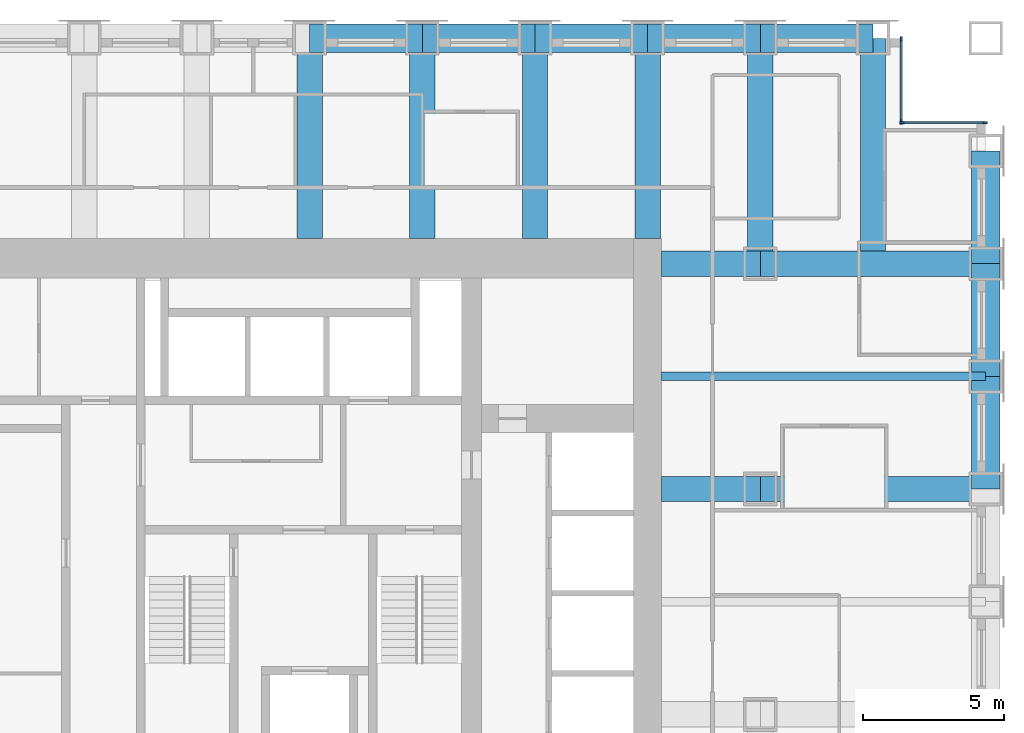
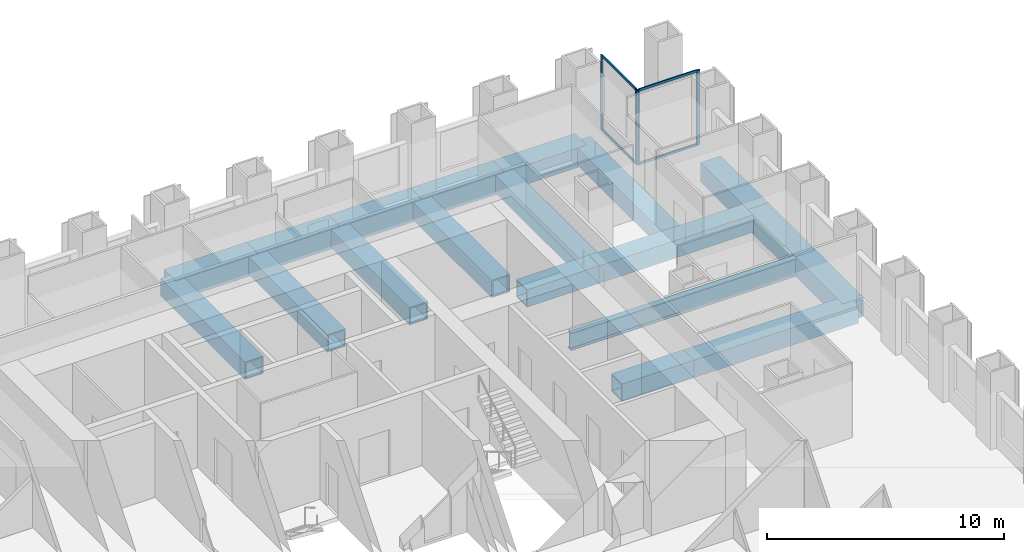
# One storey, part 7 of 15: 19 beams, 8 members, 2 elements without a shape of their own.
"""IFC4 building model written with IfcOpenShell, lengths in metres."""

from ifc_helpers import new_model, si_unit, direction, frame, origin, origin_2d, place, context, subcontext, project, spatial, rectangle, hollow_rectangle, i_section, extrude, material, material_profile, profile_set, type_object, element, aggregate, save


model = new_model("IFC4")

# Units and contexts
model_context = context("Model", 3, precision=1e-05, world=origin(), true_north=direction((0.0, 1.0)))
body_context = subcontext(model_context, "Body", "Model", "MODEL_VIEW")
ifc_project = project(units=[si_unit("LENGTHUNIT", "METRE"), si_unit("AREAUNIT", "SQUARE_METRE"), si_unit("VOLUMEUNIT", "CUBIC_METRE"), si_unit("PLANEANGLEUNIT", "RADIAN"), si_unit("MASSUNIT", "GRAM", prefix="KILO")], contexts=[model_context])

# Site, building, storey
site_placement = place(None, origin())
site = spatial("IfcSite", under=ifc_project, at=site_placement, CompositionType="ELEMENT")
building_placement = place(site_placement, origin())
building = spatial("IfcBuilding", under=site, at=building_placement, Name="Rimbunsela Tower", CompositionType="ELEMENT")
storey_placement = place(building_placement, frame((0.0, 0.0, 19.0)))
storey = spatial("IfcBuildingStorey", under=building, at=storey_placement, Name="L04", CompositionType="ELEMENT", Elevation=19.0)

# Beams
ifc_material_1 = material(Name="Steel BJ 55 (fy 410 MPa)", Category="steel")
ifc_material_profile_1 = material_profile(ifc_material_1, hollow_rectangle(XDim=1.0, YDim=1.0, WallThickness=0.10009765625, at=origin_2d()), Name="BOX 1000x1000x100")
ifc_profile_set_1 = profile_set([ifc_material_profile_1], Name="Steel BJ 55 (fy 410 MPa)")
beam_type_1 = type_object("IfcBeamType", Name="Beam BOX 1000x1000x100", PredefinedType="BEAM", material=ifc_profile_set_1)
for number, where, z_axis, x_axis, name in (
    (1, (30.0, 44.0, -0.64990234375), (1.0, 0.0, 0.0), (0.0, 1.0, 0.0), "Beam B3 L04"),
    (2, (34.0, 44.0, -0.64990234375), (1.0, 0.0, 0.0), (0.0, 1.0, 0.0), "Beam B3 L04"),
    (3, (38.0, 44.0, -0.64990234375), (1.0, 0.0, 0.0), (0.0, 1.0, 0.0), "Beam B3 L04"),
    (4, (42.0, 44.0, -0.64990234375), (1.0, 0.0, 0.0), (0.0, 1.0, 0.0), "Beam B3 L04"),
    (5, (46.0, 44.0, -0.64990234375), (1.0, 0.0, 0.0), (0.0, 1.0, 0.0), "Beam B3 L04"),
    (6, (54.0, 28.0, -0.64990234375), (0.0, 1.0, 0.0), (-1.0, 0.0, 0.0), "Beam B3 L04"),
    (7, (54.0, 32.0, -0.64990234375), (0.0, 1.0, 0.0), (-1.0, 0.0, 0.0), "Beam B3 L04"),
    (8, (54.0, 36.0, -0.64990234375), (0.0, 1.0, 0.0), (-1.0, 0.0, 0.0), "Beam B3 L04"),
):
    element("IfcBeam", number, at=place(storey_placement, frame(where, z_axis=z_axis, x_axis=x_axis)), inside=storey, type_object=beam_type_1, Name=name, PredefinedType="BEAM", context=body_context, shape_type="SweptSolid", body=[
        extrude(hollow_rectangle(XDim=1.0, YDim=1.0, WallThickness=0.10009765625, at=origin_2d()), origin(), (0.0, 0.0, 1.0), 4.0),
    ])
ifc_material_2 = material(Name="Steel BJ 55 (fy 410 MPa)", Category="steel")
ifc_material_profile_2 = material_profile(ifc_material_2, hollow_rectangle(XDim=0.89990234375, YDim=0.89990234375, WallThickness=0.06005859375, at=origin_2d()), Name="BOX 900x900x60")
ifc_profile_set_2 = profile_set([ifc_material_profile_2], Name="Steel BJ 55 (fy 410 MPa)")
beam_type_2 = type_object("IfcBeamType", Name="Beam BOX 900x900x60", PredefinedType="BEAM", material=ifc_profile_set_2)
for number, where, z_axis, x_axis, name in (
    (9, (30.0, 36.89990234375, -0.60009765625), (0.0, 1.0, 0.0), (-1.0, 0.0, 0.0), "Beam B1 L04"),
    (10, (34.0, 36.89990234375, -0.60009765625), (0.0, 1.0, 0.0), (-1.0, 0.0, 0.0), "Beam B1 L04"),
    (11, (38.0, 36.89990234375, -0.60009765625), (0.0, 1.0, 0.0), (-1.0, 0.0, 0.0), "Beam B1 L04"),
    (12, (42.0, 36.89990234375, -0.60009765625), (0.0, 1.0, 0.0), (-1.0, 0.0, 0.0), "Beam B1 L04"),
):
    element("IfcBeam", number, at=place(storey_placement, frame(where, z_axis=z_axis, x_axis=x_axis)), inside=storey, type_object=beam_type_2, Name=name, PredefinedType="BEAM", context=body_context, shape_type="SweptSolid", body=[
        extrude(hollow_rectangle(XDim=0.89990234375, YDim=0.89990234375, WallThickness=0.06005859375, at=origin_2d()), origin(), (0.0, 0.0, 1.0), 7.10009765625),
    ])
for number, where, z_axis, x_axis, name in (
    (13, (42.5, 28.0, -0.60009765625), (1.0, 0.0, 0.0), (0.0, 1.0, 0.0), "Beam B1 L04"),
    (14, (42.5, 36.0, -0.60009765625), (1.0, 0.0, 0.0), (0.0, 1.0, 0.0), "Beam B1 L04"),
):
    element("IfcBeam", number, at=place(storey_placement, frame(where, z_axis=z_axis, x_axis=x_axis)), inside=storey, type_object=beam_type_2, Name=name, PredefinedType="BEAM", context=body_context, shape_type="SweptSolid", body=[
        extrude(hollow_rectangle(XDim=0.89990234375, YDim=0.89990234375, WallThickness=0.06005859375, at=origin_2d()), origin(), (0.0, 0.0, 1.0), 3.5),
    ])
for number, where, z_axis, x_axis, name in (
    (15, (46.0, 28.0, -0.60009765625), (1.0, 0.0, 0.0), (0.0, 1.0, 0.0), "Beam B1 L04"),
    (16, (46.0, 36.0, -0.60009765625), (0.0, 1.0, 0.0), (-1.0, 0.0, 0.0), "Beam B1 L04"),
    (17, (46.0, 36.0, -0.60009765625), (1.0, 0.0, 0.0), (0.0, 1.0, 0.0), "Beam B1 L04"),
):
    element("IfcBeam", number, at=place(storey_placement, frame(where, z_axis=z_axis, x_axis=x_axis)), inside=storey, type_object=beam_type_2, Name=name, PredefinedType="BEAM", context=body_context, shape_type="SweptSolid", body=[
        extrude(hollow_rectangle(XDim=0.89990234375, YDim=0.89990234375, WallThickness=0.06005859375, at=origin_2d()), origin(), (0.0, 0.0, 1.0), 8.0),
    ])
beam_1_placement = place(storey_placement, frame((50.0, 36.449951171875, -0.60009765625), z_axis=(0.0, 1.0, 0.0), x_axis=(-1.0, 0.0, 0.0)))
element("IfcBeam", 18, at=beam_1_placement, inside=storey, type_object=beam_type_2, Name="Beam B1 L04", PredefinedType="BEAM", context=body_context, shape_type="SweptSolid", body=[
    extrude(hollow_rectangle(XDim=0.89990234375, YDim=0.89990234375, WallThickness=0.06005859375, at=origin_2d()), origin(), (0.0, 0.0, 1.0), 7.550048828125),
])
ifc_material_3 = material(Name="Steel BJ 55 (fy 410 MPa)", Category="steel")
ifc_material_profile_3 = material_profile(ifc_material_3, i_section(OverallWidth=0.300048828125, OverallDepth=0.89990234375, WebThickness=0.01611328125, FlangeThickness=0.028076171875, FilletRadius=0.028076171875, at=origin_2d()), Name="H 900x300x16x28")
ifc_profile_set_3 = profile_set([ifc_material_profile_3], Name="Steel BJ 55 (fy 410 MPa)")
beam_type_3 = type_object("IfcBeamType", Name="Beam H 900x300x16x28", PredefinedType="BEAM", material=ifc_profile_set_3)
beam_2_placement = place(storey_placement, frame((42.5, 32.0, -0.60009765625), z_axis=(1.0, 0.0, 0.0), x_axis=(0.0, 1.0, 0.0)))
element("IfcBeam", 19, at=beam_2_placement, inside=storey, type_object=beam_type_3, Name="Beam B2 L04", PredefinedType="BEAM", context=body_context, shape_type="SweptSolid", body=[
    extrude(i_section(OverallWidth=0.300048828125, OverallDepth=0.89990234375, WebThickness=0.01611328125, FlangeThickness=0.028076171875, FilletRadius=0.028076171875, at=origin_2d()), origin(), (0.0, 0.0, 1.0), 11.5),
])

# Curtain wall, members
ifc_material_4 = material(Name="Aluminium curtain wall", Category="aluminium")
curtain_wall_type = type_object("IfcCurtainWallType", Name="Corner glazing", PredefinedType="USERDEFINED", material=ifc_material_4)
curtain_wall_1_placement = place(storey_placement, origin())
curtain_wall_1 = element("IfcCurtainWall", 20, at=curtain_wall_1_placement, inside=storey, type_object=curtain_wall_type, Name="Corner glazing L04", ObjectType="CORNER GLAZING", PredefinedType="USERDEFINED")
ifc_material_5 = material(Name="Aluminium mullion", Category="aluminium")
ifc_material_profile_4 = material_profile(ifc_material_5, rectangle(XDim=0.06005859375, YDim=0.159912109375, at=origin_2d()), Name="Mullion 60x160")
ifc_profile_set_4 = profile_set([ifc_material_profile_4], Name="Aluminium mullion")
member_type_1 = type_object("IfcMemberType", Name="Curtain wall mullion 60x160", PredefinedType="MULLION", material=ifc_profile_set_4)
member_1_placement = place(storey_placement, frame((53.969970703125, 41.0, 0.0), z_axis=(0.0, 0.0, 1.0), x_axis=(0.0, -1.0, 0.0)))
member_1 = element("IfcMember", 21, at=member_1_placement, type_object=member_type_1, Name="CW5 mullion 1", PredefinedType="MULLION", context=body_context, shape_type="SweptSolid", body=[
    extrude(rectangle(XDim=0.06005859375, YDim=0.159912109375, at=origin_2d()), origin(), (0.0, 0.0, 1.0), 3.85009765625),
])
member_2_placement = place(storey_placement, frame((51.030029296875, 41.0, 0.0), z_axis=(0.0, 0.0, 1.0), x_axis=(0.0, -1.0, 0.0)))
member_2 = element("IfcMember", 22, at=member_2_placement, type_object=member_type_1, Name="CW5 mullion 2", PredefinedType="MULLION", context=body_context, shape_type="SweptSolid", body=[
    extrude(rectangle(XDim=0.06005859375, YDim=0.159912109375, at=origin_2d()), origin(), (0.0, 0.0, 1.0), 3.85009765625),
])

curtain_wall_2_placement = place(storey_placement, origin())
curtain_wall_2 = element("IfcCurtainWall", 23, at=curtain_wall_2_placement, inside=storey, type_object=curtain_wall_type, Name="Corner glazing L04", ObjectType="CORNER GLAZING", PredefinedType="USERDEFINED")
member_3_placement = place(storey_placement, frame((51.0, 41.030029296875, 0.0), z_axis=(0.0, 0.0, 1.0), x_axis=(-1.0, 0.0, 0.0)))
member_3 = element("IfcMember", 24, at=member_3_placement, type_object=member_type_1, Name="CW5 mullion 1", PredefinedType="MULLION", context=body_context, shape_type="SweptSolid", body=[
    extrude(rectangle(XDim=0.06005859375, YDim=0.159912109375, at=origin_2d()), origin(), (0.0, 0.0, 1.0), 3.85009765625),
])
member_4_placement = place(storey_placement, frame((51.0, 43.969970703125, 0.0), z_axis=(0.0, 0.0, 1.0), x_axis=(-1.0, 0.0, 0.0)))
member_4 = element("IfcMember", 25, at=member_4_placement, type_object=member_type_1, Name="CW5 mullion 2", PredefinedType="MULLION", context=body_context, shape_type="SweptSolid", body=[
    extrude(rectangle(XDim=0.06005859375, YDim=0.159912109375, at=origin_2d()), origin(), (0.0, 0.0, 1.0), 3.85009765625),
])

# Member
ifc_material_6 = material(Name="Aluminium transom", Category="aluminium")
ifc_material_profile_5 = material_profile(ifc_material_6, rectangle(XDim=0.06005859375, YDim=0.1201171875, at=origin_2d()), Name="Transom 60x120")
ifc_profile_set_5 = profile_set([ifc_material_profile_5], Name="Aluminium transom")
member_type_2 = type_object("IfcMemberType", Name="Curtain wall transom 60x120", PredefinedType="USERDEFINED", material=ifc_profile_set_5)
member_5_placement = place(storey_placement, frame((53.93994140625, 41.0, 0.030029296875), z_axis=(-1.0, 0.0, 0.0), x_axis=(0.0, -1.0, 0.0)))
member_5 = element("IfcMember", 26, at=member_5_placement, type_object=member_type_2, Name="CW5 transom 1.1", ObjectType="TRANSOM", PredefinedType="USERDEFINED", context=body_context, shape_type="SweptSolid", body=[
    extrude(rectangle(XDim=0.06005859375, YDim=0.1201171875, at=origin_2d()), origin(), (0.0, 0.0, 1.0), 2.8798828125),
])

member_6_placement = place(storey_placement, frame((53.93994140625, 41.0, 3.820068359375), z_axis=(-1.0, 0.0, 0.0), x_axis=(0.0, -1.0, 0.0)))
member_6 = element("IfcMember", 27, at=member_6_placement, type_object=member_type_2, Name="CW5 transom 1.2", ObjectType="TRANSOM", PredefinedType="USERDEFINED", context=body_context, shape_type="SweptSolid", body=[
    extrude(rectangle(XDim=0.06005859375, YDim=0.1201171875, at=origin_2d()), origin(), (0.0, 0.0, 1.0), 2.8798828125),
])

aggregate(curtain_wall_1, [member_1, member_2, member_5, member_6])

member_7_placement = place(storey_placement, frame((51.0, 41.06005859375, 0.030029296875), z_axis=(0.0, 1.0, 0.0), x_axis=(-1.0, 0.0, 0.0)))
member_7 = element("IfcMember", 28, at=member_7_placement, type_object=member_type_2, Name="CW5 transom 1.1", ObjectType="TRANSOM", PredefinedType="USERDEFINED", context=body_context, shape_type="SweptSolid", body=[
    extrude(rectangle(XDim=0.06005859375, YDim=0.1201171875, at=origin_2d()), origin(), (0.0, 0.0, 1.0), 2.8798828125),
])

member_8_placement = place(storey_placement, frame((51.0, 41.06005859375, 3.820068359375), z_axis=(0.0, 1.0, 0.0), x_axis=(-1.0, 0.0, 0.0)))
member_8 = element("IfcMember", 29, at=member_8_placement, type_object=member_type_2, Name="CW5 transom 1.2", ObjectType="TRANSOM", PredefinedType="USERDEFINED", context=body_context, shape_type="SweptSolid", body=[
    extrude(rectangle(XDim=0.06005859375, YDim=0.1201171875, at=origin_2d()), origin(), (0.0, 0.0, 1.0), 2.8798828125),
])

aggregate(curtain_wall_2, [member_3, member_4, member_7, member_8])

save(model, "model.ifc")
